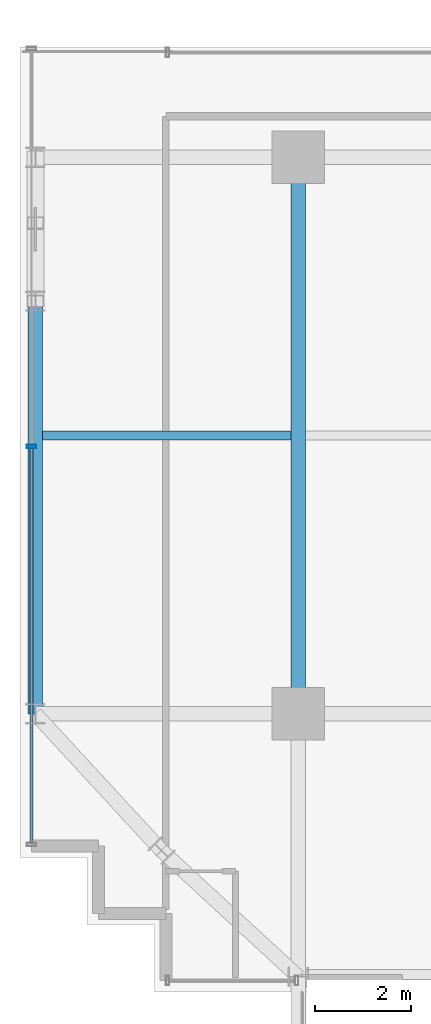
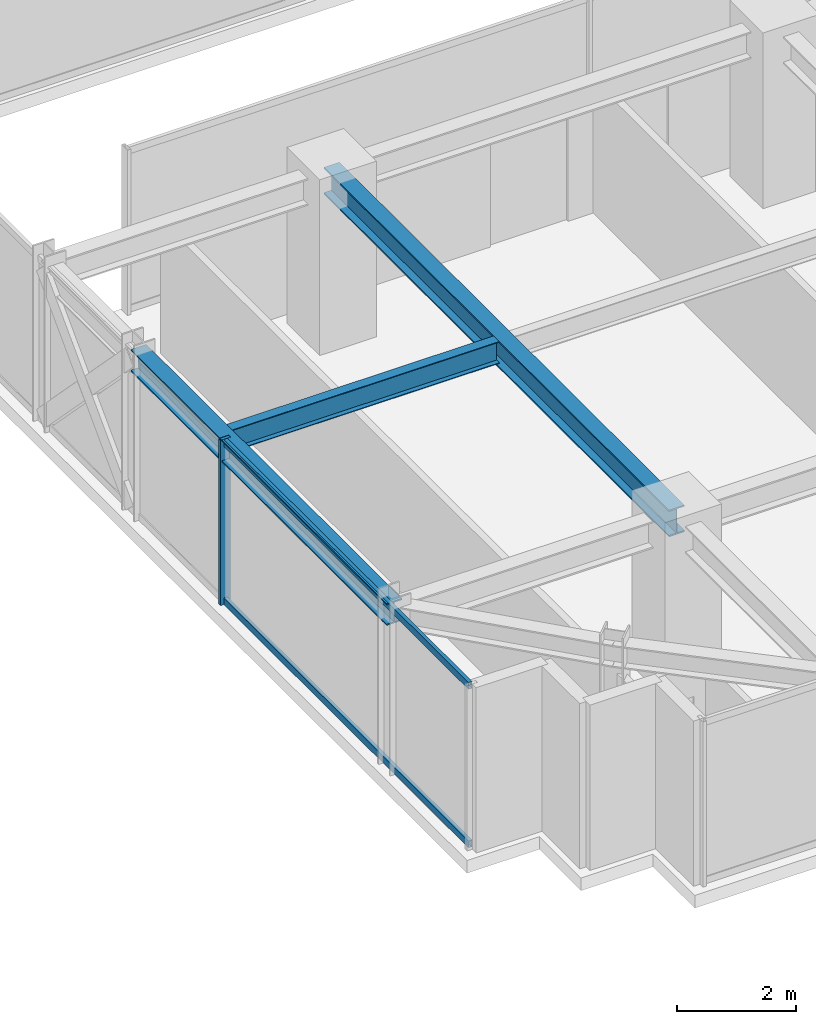
# One storey, part 3 of 38: 3 beams, 3 members, 1 element without a shape of its own.
"""IFC4 building model written with IfcOpenShell, lengths in metres."""

from ifc_helpers import new_model, si_unit, direction, frame, origin, origin_2d, place, context, subcontext, project, spatial, hollow_rectangle, i_section, extrude, source, transform, mapped, material, material_profile, profile_set, type_object, element, aggregate, save


model = new_model("IFC4")

# Units and contexts
model_context = context("Model", 3, precision=1e-05, world=origin(), true_north=direction((0.0, 1.0)))
body_context = subcontext(model_context, "Body", "Model", "MODEL_VIEW")
ifc_project = project(units=[si_unit("LENGTHUNIT", "METRE"), si_unit("AREAUNIT", "SQUARE_METRE"), si_unit("VOLUMEUNIT", "CUBIC_METRE"), si_unit("PLANEANGLEUNIT", "RADIAN"), si_unit("MASSUNIT", "GRAM", prefix="KILO")], contexts=[model_context])

# Site, building, storey
site_placement = place(None, origin())
site = spatial("IfcSite", under=ifc_project, at=site_placement, CompositionType="ELEMENT")
building_placement = place(site_placement, origin())
building = spatial("IfcBuilding", under=site, at=building_placement, Name="Nahalor Promenade Grand Hotel", CompositionType="ELEMENT")
storey_placement = place(building_placement, frame((0.0, 0.0, 178.199951171875)))
storey = spatial("IfcBuildingStorey", under=building, at=storey_placement, Name="L45", CompositionType="ELEMENT", Elevation=178.199951171875)

# Beams
ifc_material_1 = material(Name="Steel S355JR", Category="steel")
ifc_material_profile_1 = material_profile(ifc_material_1, i_section(OverallWidth=0.3, OverallDepth=0.55, WebThickness=0.015, FlangeThickness=0.029, at=origin_2d()), Name="HEB 550")
ifc_profile_set_1 = profile_set([ifc_material_profile_1], Name="Steel S355JR")
beam_type_1 = type_object("IfcBeamType", Name="Beam-Girder-HEB550", PredefinedType="BEAM", material=ifc_profile_set_1)
shared_shape_1 = source(origin(), body_context, "Body", "SweptSolid", [
    extrude(i_section(OverallWidth=0.3, OverallDepth=0.55, WebThickness=0.015, FlangeThickness=0.029, at=origin_2d()), origin(), (0.0, 0.0, 1.0), 11.60009765625),
])
beam_1_placement = place(storey_placement, frame((-17.0, -17.0, 3.114990234375), z_axis=(0.0, 1.0, 0.0), x_axis=(-1.0, 0.0, 0.0)))
element("IfcBeam", 1, at=beam_1_placement, inside=storey, type_object=beam_type_1, Name="BM-L45-GY-0-1", PredefinedType="BEAM", context=body_context, shape_type="MappedRepresentation", body=[
    mapped(shared_shape_1, transform((0.0, 0.0, 0.0), scale=1.0)),
])
ifc_material_profile_2 = material_profile(ifc_material_1, i_section(OverallWidth=0.19, OverallDepth=0.45, WebThickness=0.0094, FlangeThickness=0.0146, at=origin_2d()), Name="IPE 450")
ifc_profile_set_2 = profile_set([ifc_material_profile_2], Name="Steel S355JR")
beam_type_2 = type_object("IfcBeamType", Name="Beam-Joist-IPE450", PredefinedType="JOIST", material=ifc_profile_set_2)
shared_shape_2 = source(origin(), body_context, "Body", "SweptSolid", [
    extrude(i_section(OverallWidth=0.19, OverallDepth=0.45, WebThickness=0.0094, FlangeThickness=0.0146, at=origin_2d()), origin(), (0.0, 0.0, 1.0), 5.18017578125),
])
beam_2_placement = place(storey_placement, frame((-22.330078125, -11.199951171875, 3.1650390625), z_axis=(1.0, 0.0, 0.0), x_axis=(0.0, 1.0, 0.0)))
element("IfcBeam", 2, at=beam_2_placement, inside=storey, type_object=beam_type_2, Name="BM-L45-JSW-0-0", PredefinedType="JOIST", context=body_context, shape_type="MappedRepresentation", body=[
    mapped(shared_shape_2, transform((0.0, 0.0, 0.0), scale=1.0)),
])
ifc_material_profile_3 = material_profile(ifc_material_1, i_section(OverallWidth=0.3, OverallDepth=0.45, WebThickness=0.014, FlangeThickness=0.026, at=origin_2d()), Name="HEB 450")
ifc_profile_set_3 = profile_set([ifc_material_profile_3], Name="Steel S355JR")
beam_type_3 = type_object("IfcBeamType", Name="Beam-Spandrel-HEB450", PredefinedType="SPANDREL", material=ifc_profile_set_3)
shared_shape_3 = source(origin(), body_context, "Body", "SweptSolid", [
    extrude(i_section(OverallWidth=0.3, OverallDepth=0.45, WebThickness=0.014, FlangeThickness=0.026, at=origin_2d()), origin(), (0.0, 0.0, 1.0), 8.60009765625),
])
beam_3_placement = place(storey_placement, frame((-22.47998046875, -17.0, 3.1650390625), z_axis=(0.0, 1.0, 0.0), x_axis=(-1.0, 0.0, 0.0)))
element("IfcBeam", 3, at=beam_3_placement, inside=storey, type_object=beam_type_3, Name="BM-L45-SP-W-0", PredefinedType="SPANDREL", context=body_context, shape_type="MappedRepresentation", body=[
    mapped(shared_shape_3, transform((0.0, 0.0, 0.0), scale=1.0)),
])

# Curtain wall, members
ifc_material_2 = material(Name="Anodised Bronze Aluminium EN AW-6063 T6", Category="aluminium")
curtain_wall_type = type_object("IfcCurtainWallType", Name="CW3 Elliptical-Void Collar Unitised Curtain Wall", PredefinedType="USERDEFINED", material=ifc_material_2)
curtain_wall_placement = place(storey_placement, origin())
curtain_wall = element("IfcCurtainWall", 4, at=curtain_wall_placement, inside=storey, type_object=curtain_wall_type, Name="L45 Curtain Wall CW-L45-W-1", ObjectType="UNITISED_CURTAIN_WALL", PredefinedType="USERDEFINED")
ifc_material_profile_4 = material_profile(ifc_material_2, hollow_rectangle(XDim=0.07, YDim=0.2, WallThickness=0.005, at=origin_2d()), Name="CWM 70x200x5")
ifc_profile_set_4 = profile_set([ifc_material_profile_4], Name="Anodised Bronze Aluminium EN AW-6063 T6")
member_type_1 = type_object("IfcMemberType", Name="CWM3 Void Collar Mullion 70x200", PredefinedType="MULLION", material=ifc_profile_set_4)
shared_shape_4 = source(origin(), body_context, "Body", "SweptSolid", [
    extrude(hollow_rectangle(XDim=0.07, YDim=0.2, WallThickness=0.005, at=origin_2d()), origin(), (0.0, 0.0, 1.0), 3.39013671875),
])
member_1_placement = place(storey_placement, frame((-22.56005859375, -11.429931640625, 0.0), z_axis=(0.0, 0.0, 1.0), x_axis=(0.0, 1.0, 0.0)))
member_1 = element("IfcMember", 5, at=member_1_placement, type_object=member_type_1, Name="CW-L45-W-1 Mullion 1", PredefinedType="MULLION", context=body_context, shape_type="MappedRepresentation", body=[
    mapped(shared_shape_4, transform((0.0, 0.0, 0.0), scale=1.0)),
])
ifc_material_profile_5 = material_profile(ifc_material_2, hollow_rectangle(XDim=0.07, YDim=0.14, WallThickness=0.004, at=origin_2d()), Name="CWT 70x140x4")
ifc_profile_set_5 = profile_set([ifc_material_profile_5], Name="Anodised Bronze Aluminium EN AW-6063 T6")
member_type_2 = type_object("IfcMemberType", Name="CWT3 Void Collar Transom 70x140", PredefinedType="USERDEFINED", material=ifc_profile_set_5)
shared_shape_5 = source(origin(), body_context, "Body", "SweptSolid", [
    extrude(hollow_rectangle(XDim=0.07, YDim=0.14, WallThickness=0.004, at=origin_2d()), origin(), (0.0, 0.0, 1.0), 8.224853515625),
])
member_2_placement = place(storey_placement, frame((-22.56005859375, -19.68994140625, 0.070068359375), z_axis=(0.0, 1.0, 0.0), x_axis=(-1.0, 0.0, 0.0)))
member_2 = element("IfcMember", 6, at=member_2_placement, type_object=member_type_2, Name="CW-L45-W-1 Transom 0-0", ObjectType="TRANSOM", PredefinedType="USERDEFINED", context=body_context, shape_type="MappedRepresentation", body=[
    mapped(shared_shape_5, transform((0.0, 0.0, 0.0), scale=1.0)),
])
member_3_placement = place(storey_placement, frame((-22.56005859375, -19.68994140625, 3.320068359375), z_axis=(0.0, 1.0, 0.0), x_axis=(-1.0, 0.0, 0.0)))
member_3 = element("IfcMember", 7, at=member_3_placement, type_object=member_type_2, Name="CW-L45-W-1 Transom 0-1", ObjectType="TRANSOM", PredefinedType="USERDEFINED", context=body_context, shape_type="MappedRepresentation", body=[
    mapped(shared_shape_5, transform((0.0, 0.0, 0.0), scale=1.0)),
])
aggregate(curtain_wall, [member_1, member_2, member_3])

save(model, "model.ifc")
